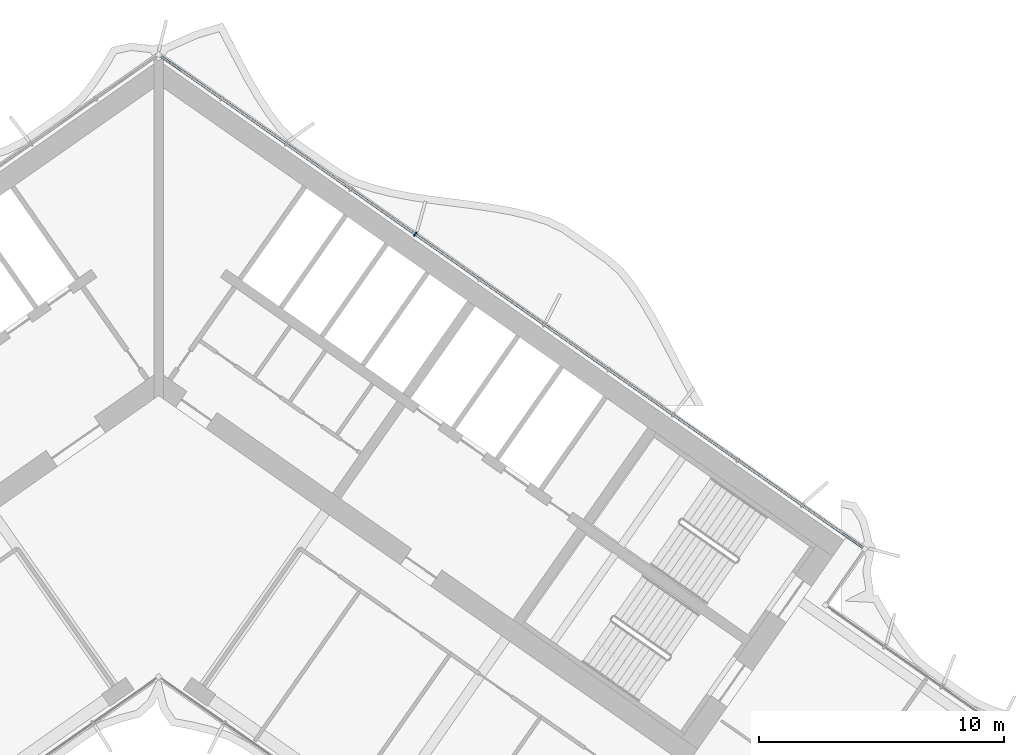
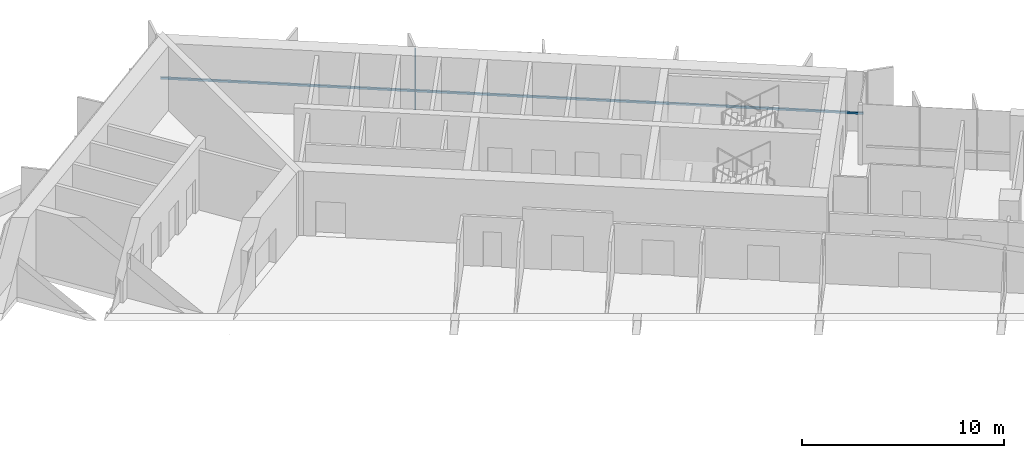
# One storey, part 10 of 24: 2 members, 1 element without a shape of its own.
"""IFC4 building model written with IfcOpenShell, lengths in metres."""

from ifc_helpers import new_model, si_unit, direction, frame, origin, origin_2d, place, context, subcontext, project, spatial, rectangle, extrude, material, material_profile, profile_set, type_object, element, aggregate, save


model = new_model("IFC4")

# Units and contexts
model_context = context("Model", 3, precision=1e-05, world=origin(), true_north=direction((0.0, 1.0)))
body_context = subcontext(model_context, "Body", "Model", "MODEL_VIEW")
ifc_project = project(units=[si_unit("LENGTHUNIT", "METRE"), si_unit("AREAUNIT", "SQUARE_METRE"), si_unit("VOLUMEUNIT", "CUBIC_METRE"), si_unit("PLANEANGLEUNIT", "RADIAN"), si_unit("MASSUNIT", "GRAM", prefix="KILO")], contexts=[model_context])

# Site, building, storey
site_placement = place(None, origin())
site = spatial("IfcSite", under=ifc_project, at=site_placement, CompositionType="ELEMENT")
building_placement = place(site_placement, origin())
building = spatial("IfcBuilding", under=site, at=building_placement, Name="Tel Ilan Convention Tower", CompositionType="ELEMENT")
storey_placement = place(building_placement, frame((0.0, 0.0, 167.10009765625)))
storey = spatial("IfcBuildingStorey", under=building, at=storey_placement, Name="L38", CompositionType="ELEMENT", Elevation=167.10009765625)

# Curtain wall, members
ifc_material_1 = material(Name="Aluminium, bronze anodised", Category="aluminium")
curtain_wall_type = type_object("IfcCurtainWallType", Name="CW2 STICK CURTAIN WALL, SPANDREL PANELS", PredefinedType="NOTDEFINED", material=ifc_material_1)
curtain_wall_placement = place(storey_placement, origin())
curtain_wall = element("IfcCurtainWall", 1, at=curtain_wall_placement, inside=storey, type_object=curtain_wall_type, Name="Curtain wall CW2-30.01", PredefinedType="NOTDEFINED")
ifc_material_2 = material(Name="Aluminium, bronze anodised", Category="aluminium")
ifc_material_profile_1 = material_profile(ifc_material_2, rectangle(XDim=0.06005859375, YDim=0.199951171875, at=origin_2d()), Name="CW MULLION 60x200")
ifc_profile_set_1 = profile_set([ifc_material_profile_1], Name="Aluminium, bronze anodised")
member_type_1 = type_object("IfcMemberType", Name="CW MULLION 60x200", PredefinedType="MULLION", material=ifc_profile_set_1)
member_1_placement = place(storey_placement, frame((10.47314453125, 5.36279296875, 0.0), z_axis=(0.0, 0.0, 1.0), x_axis=(-0.819152044289, 0.573576436351, 0.0)))
member_1 = element("IfcMember", 2, at=member_1_placement, type_object=member_type_1, Name="Mullion", PredefinedType="MULLION", context=body_context, shape_type="SweptSolid", body=[
    extrude(rectangle(XDim=0.06005859375, YDim=0.199951171875, at=origin_2d()), origin(), (0.0, 0.0, 1.0), 3.619873046875),
])
ifc_material_3 = material(Name="Aluminium, bronze anodised", Category="aluminium")
ifc_material_profile_2 = material_profile(ifc_material_3, rectangle(XDim=0.10009765625, YDim=0.1201171875, at=origin_2d()), Name="CW TRANSOM 100x120")
ifc_profile_set_2 = profile_set([ifc_material_profile_2], Name="Aluminium, bronze anodised")
member_type_2 = type_object("IfcMemberType", Name="CW TRANSOM 100x120", PredefinedType="USERDEFINED", material=ifc_profile_set_2)
member_2_placement = place(storey_placement, frame((28.737548828125, -7.42626953125, 1.099853515625), z_axis=(-0.819150201937, 0.573579067494, 0.0), x_axis=(-0.573579067494, -0.819150201937, 0.0)))
member_2 = element("IfcMember", 3, at=member_2_placement, type_object=member_type_2, Name="Transom", ObjectType="TRANSOM", PredefinedType="USERDEFINED", context=body_context, shape_type="SweptSolid", body=[
    extrude(rectangle(XDim=0.10009765625, YDim=0.1201171875, at=origin_2d()), origin(), (0.0, 0.0, 1.0), 34.9521484375),
])
aggregate(curtain_wall, [member_1, member_2])

save(model, "model.ifc")
